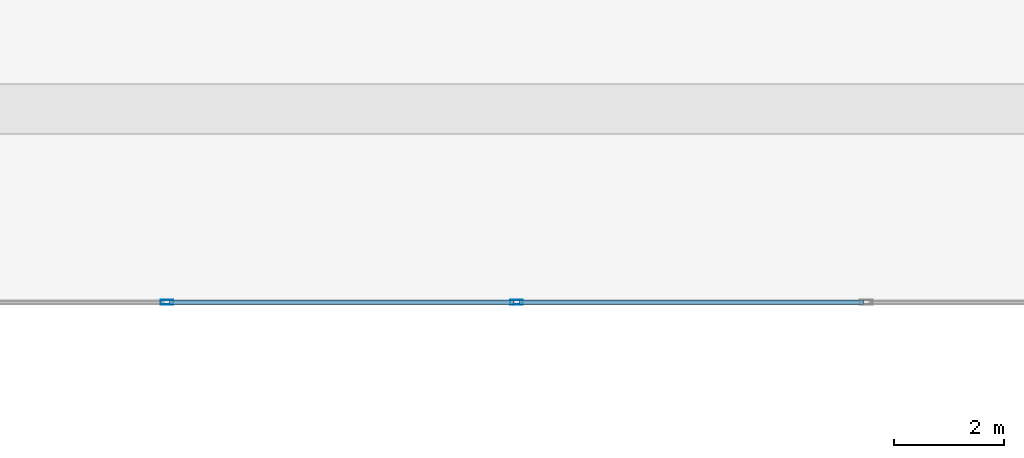
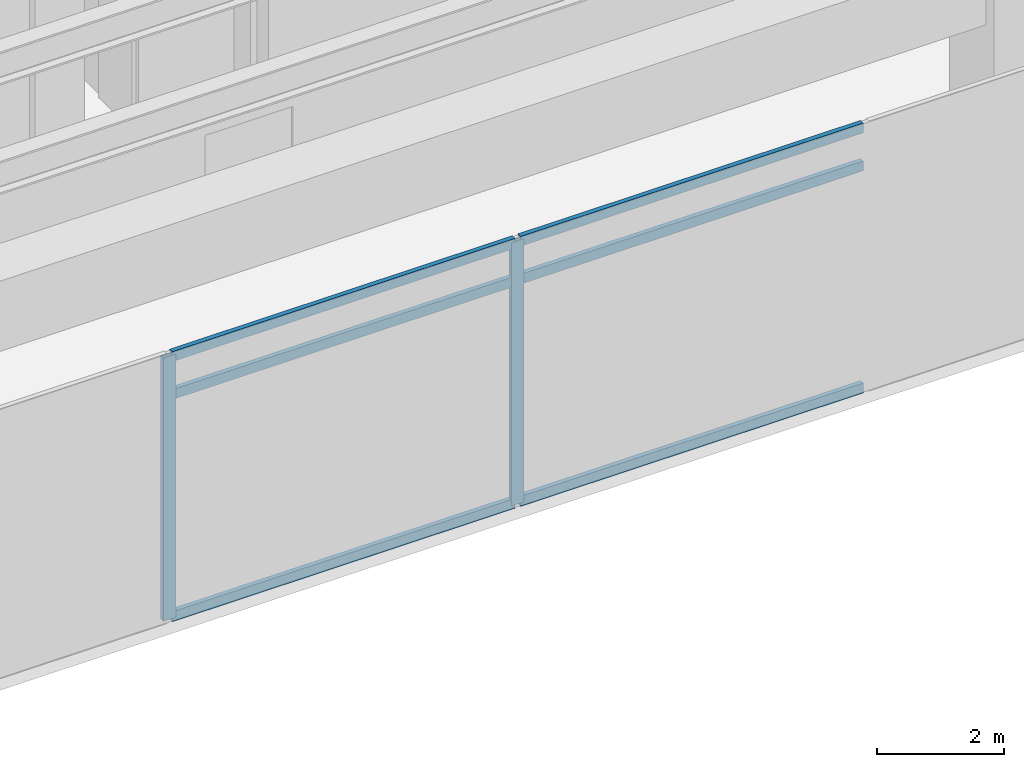
# One storey, part 4 of 21: 8 members, 1 element without a shape of its own.
"""IFC4 building model written with IfcOpenShell, lengths in metres."""

import ifcopenshell
import ifcopenshell.guid

model = None  # the IFC model being written
_history = None  # IfcOwnerHistory: only IFC2X3 demands one
_inside = {}  # id of a spatial element -> (the spatial element, [elements in it])
_under = {}  # id of a project, library or spatial element -> (it, [spatial elements below it])
_declared = {}  # id of a project -> (the project, [libraries it declares])
_typed = {}  # id of a type object -> (the type object, [elements of that type])
_made_of = {}  # id of a material, layer set ... -> (it, [elements and type objects made of it])


def new_model(schema):
    """Start an empty IFC model of exactly this schema.

    Asked for "IFC4X3", IfcOpenShell would pick the latest addendum, in which some entities
    have other attributes; the version numbers below select the first issue.
    IFC2X3 requires an IfcOwnerHistory on every rooted entity: one is made here for all.
    """
    global model, _history
    if schema == "IFC4X3":
        model = ifcopenshell.file(schema_version=(4, 3, 0, 0))
    else:
        model = ifcopenshell.file(schema=schema)
    _inside.clear()
    _under.clear()
    _declared.clear()
    _typed.clear()
    _made_of.clear()
    _history = None
    if model.schema == "IFC2X3":
        org = make("IfcOrganization", Name="unknown")
        user = make(
            "IfcPersonAndOrganization",
            ThePerson=make("IfcPerson", FamilyName="unknown"),
            TheOrganization=org,
        )
        app = make(
            "IfcApplication",
            ApplicationDeveloper=org,
            Version="unknown",
            ApplicationFullName="unknown",
            ApplicationIdentifier="unknown",
        )
        _history = make(
            "IfcOwnerHistory",
            OwningUser=user,
            OwningApplication=app,
            ChangeAction="ADDED",
            CreationDate=0,
        )
    return model


def make(cls, **values):
    """One entity of the class cls with the attributes given. An attribute that is None is left unset."""
    return model.create_entity(
        cls, **{name: value for name, value in values.items() if value is not None}
    )


def rooted(cls, **values):
    """An entity with a GlobalId (a new one), such as an element, a storey or a relation."""
    return make(cls, GlobalId=ifcopenshell.guid.new(), OwnerHistory=_history, **values)


def si_unit(unit_type, name, prefix=None):
    """IfcSIUnit, for example si_unit("LENGTHUNIT", "METRE", prefix="MILLI")."""
    return make("IfcSIUnit", UnitType=unit_type, Prefix=prefix, Name=name)


def assignment(units):
    """IfcUnitAssignment: the units of a project."""
    return None if units is None else make("IfcUnitAssignment", Units=units)


def point(xyz):
    """IfcCartesianPoint."""
    return None if xyz is None else make("IfcCartesianPoint", Coordinates=xyz)


def direction(xyz):
    """IfcDirection."""
    return None if xyz is None else make("IfcDirection", DirectionRatios=xyz)


def frame(location, z_axis=None, x_axis=None):
    """IfcAxis2Placement3D, a coordinate frame: its origin and axes. An axis left out is left unset."""
    return make(
        "IfcAxis2Placement3D",
        Location=point(location),
        Axis=direction(z_axis),
        RefDirection=direction(x_axis),
    )


def frame_2d(location, x_axis=None):
    """IfcAxis2Placement2D, a coordinate frame in the plane: its origin and x axis."""
    return make(
        "IfcAxis2Placement2D", Location=point(location), RefDirection=direction(x_axis)
    )


def origin():
    """The frame at (0, 0, 0) with its axes left unset."""
    return frame((0.0, 0.0, 0.0))


def origin_2d():
    """The frame at (0, 0) in the plane with its x axis left unset."""
    return frame_2d((0.0, 0.0))


def place(relative_to, where):
    """IfcLocalPlacement: puts the frame where relative to a parent placement (None: the world)."""
    return make(
        "IfcLocalPlacement", PlacementRelTo=relative_to, RelativePlacement=where
    )


def context(
    kind, dimensions, precision=None, world=None, true_north=None, identifier=None
):
    """IfcGeometricRepresentationContext, for example the 3D "Model" context."""
    return make(
        "IfcGeometricRepresentationContext",
        ContextIdentifier=identifier,
        ContextType=kind,
        CoordinateSpaceDimension=dimensions,
        Precision=precision,
        WorldCoordinateSystem=world,
        TrueNorth=true_north,
    )


def subcontext(parent, identifier, kind, view, scale=None):
    """IfcGeometricRepresentationSubContext, for example "Body" below "Model"."""
    return make(
        "IfcGeometricRepresentationSubContext",
        ContextIdentifier=identifier,
        ContextType=kind,
        ParentContext=parent,
        TargetScale=scale,
        TargetView=view,
    )


def project(units=None, contexts=None):
    """IfcProject with its units and contexts."""
    return rooted(
        "IfcProject",
        Name="project",
        RepresentationContexts=contexts,
        UnitsInContext=assignment(units),
    )


def spatial(cls, under=None, at=None, **own):
    """A site, building, storey or space (cls), placed at a placement, below another one or the project."""
    s = rooted(cls, ObjectPlacement=at, **own)
    if under is not None:
        _under.setdefault(under.id(), (under, []))[1].append(s)
    return s


def profile(cls, at=None, kind="AREA", **sizes):
    """A parametric profile (cls). Its sizes go by their IFC names, for example OverallWidth=200.0."""
    return make(cls, ProfileType=kind, Position=at, **sizes)


def hollow_rectangle(**sizes):
    """IfcRectangleHollowProfileDef."""
    return profile("IfcRectangleHollowProfileDef", **sizes)


def extrude(swept, where, along, depth):
    """IfcExtrudedAreaSolid: the profile swept, set in the frame where, extruded along a direction by depth."""
    return make(
        "IfcExtrudedAreaSolid",
        SweptArea=swept,
        Position=where,
        ExtrudedDirection=direction(along),
        Depth=depth,
    )


def shape(context_of_items, identifier, shape_type, items):
    """IfcShapeRepresentation: the items that make up one representation, for example the "Body"."""
    return make(
        "IfcShapeRepresentation",
        ContextOfItems=context_of_items,
        RepresentationIdentifier=identifier,
        RepresentationType=shape_type,
        Items=items,
    )


def material(Name=None, Category=None):
    """IfcMaterial."""
    return make("IfcMaterial", Name=Name, Category=Category)


def material_profile(
    of_material, cross_section, Name=None, Category=None, Priority=None
):
    """IfcMaterialProfile: a cross section and its material."""
    return make(
        "IfcMaterialProfile",
        Name=Name,
        Material=of_material,
        Profile=cross_section,
        Priority=Priority,
        Category=Category,
    )


def profile_set(profiles, Name=None, composite=None):
    """IfcMaterialProfileSet."""
    return make(
        "IfcMaterialProfileSet",
        Name=Name,
        MaterialProfiles=profiles,
        CompositeProfile=composite,
    )


def made_of(thing, what):
    """Note that an element or type object is made of a material, layer set ...; save() writes the relation."""
    if what is not None:
        _made_of.setdefault(what.id(), (what, []))[1].append(thing)
    return thing


def type_object(cls, material=None, **own):
    """A type object (cls), such as IfcWallType, which elements share."""
    return made_of(rooted(cls, **own), material)


def element(
    cls,
    number,
    at=None,
    inside=None,
    cuts=None,
    type_object=None,
    material=None,
    context=None,
    identifier="Body",
    shape_type=None,
    held_by="IfcProductDefinitionShape",
    body=None,
    shapes=None,
    **own,
):
    """One element of the class cls, such as IfcWall. Its Tag is "e" and its number.

    at: its placement. inside: the storey or other place that contains it. cuts: it is an
    opening in that element (IfcRelVoidsElement). A single representation is given by context,
    identifier, shape_type and body (its items); several are given by shapes. held_by: the class
    of the entity that holds the representations. save() writes the other relations.
    """
    e = rooted(cls, Tag="e%d" % number, ObjectPlacement=at, **own)
    if body is not None:
        shapes = [shape(context, identifier, shape_type, body)]
    if shapes is not None:
        e.Representation = make(held_by, Representations=shapes)
    if inside is not None:
        _inside.setdefault(inside.id(), (inside, []))[1].append(e)
    if cuts is not None:
        rooted(
            "IfcRelVoidsElement", RelatingBuildingElement=cuts, RelatedOpeningElement=e
        )
    if type_object is not None:
        _typed.setdefault(type_object.id(), (type_object, []))[1].append(e)
    return made_of(e, material)


def aggregate(whole, parts):
    """IfcRelAggregates: a whole, such as a stair, and the parts it consists of."""
    return rooted("IfcRelAggregates", RelatingObject=whole, RelatedObjects=parts)


def save(model, path):
    """Write the relations noted so far, then the file.

    IfcRelAggregates (storeys below a building ...), IfcRelContainedInSpatialStructure (elements
    in a storey), IfcRelDefinesByType, IfcRelAssociatesMaterial and IfcRelDeclares: one each for
    every whole, place, type object, material and project.
    """
    for whole, parts in _under.values():
        aggregate(whole, parts)
    for where, things in _inside.values():
        rooted(
            "IfcRelContainedInSpatialStructure",
            RelatedElements=things,
            RelatingStructure=where,
        )
    for kind, things in _typed.values():
        rooted("IfcRelDefinesByType", RelatedObjects=things, RelatingType=kind)
    for what, things in _made_of.values():
        rooted("IfcRelAssociatesMaterial", RelatedObjects=things, RelatingMaterial=what)
    for by, libraries in _declared.values():
        rooted("IfcRelDeclares", RelatingContext=by, RelatedDefinitions=libraries)
    model.write(path)


model = new_model("IFC4")

# Units and contexts
model_context = context("Model", 3, precision=1e-05, world=origin(), true_north=direction((0.0, 1.0)))
body_context = subcontext(model_context, "Body", "Model", "MODEL_VIEW")
ifc_project = project(units=[si_unit("LENGTHUNIT", "METRE"), si_unit("AREAUNIT", "SQUARE_METRE"), si_unit("VOLUMEUNIT", "CUBIC_METRE"), si_unit("PLANEANGLEUNIT", "RADIAN"), si_unit("MASSUNIT", "GRAM", prefix="KILO")], contexts=[model_context])

# Site, building, storey
site_placement = place(None, origin())
site = spatial("IfcSite", under=ifc_project, at=site_placement, CompositionType="ELEMENT")
building_placement = place(site_placement, origin())
building = spatial("IfcBuilding", under=site, at=building_placement, Name="Kovane Verandah Tower", CompositionType="ELEMENT")
storey_placement = place(building_placement, frame((0.0, 0.0, 189.39990234375)))
storey = spatial("IfcBuildingStorey", under=building, at=storey_placement, Name="L44", CompositionType="ELEMENT", Elevation=189.39990234375)

# Curtain wall, members
ifc_material_1 = material(Name="Champagne Anodised Aluminium Frame with Low-E Clear Laminated Glass", Category="aluminium")
curtain_wall_type = type_object("IfcCurtainWallType", Name="CW-SYS-04-WAIST", PredefinedType="NOTDEFINED", material=ifc_material_1)
curtain_wall_placement = place(storey_placement, origin())
curtain_wall = element("IfcCurtainWall", 1, at=curtain_wall_placement, inside=storey, type_object=curtain_wall_type, Name="L44 S Unitised Curtain Wall", PredefinedType="NOTDEFINED")
ifc_material_2 = material(Name="Champagne Anodised Aluminium 6063-T6", Category="aluminium")
ifc_material_profile_1 = material_profile(ifc_material_2, hollow_rectangle(XDim=0.0849609375, YDim=0.22998046875, WallThickness=0.00390625, at=origin_2d()), Name="AL85x230x4")
ifc_profile_set_1 = profile_set([ifc_material_profile_1], Name="Champagne Anodised Aluminium 6063-T6")
member_type_1 = type_object("IfcMemberType", Name="CW-MUL-85x230", PredefinedType="MULLION", material=ifc_profile_set_1)
member_1_placement = place(storey_placement, frame((33.666748046875, 7.300048828125, 0.02001953125), z_axis=(0.0, 0.0, 1.0), x_axis=(0.0, -1.0, 0.0)))
member_1 = element("IfcMember", 2, at=member_1_placement, type_object=member_type_1, Name="L44 S Unitised Curtain Wall Mullion 3", PredefinedType="MULLION", context=body_context, shape_type="SweptSolid", body=[
    extrude(hollow_rectangle(XDim=0.0849609375, YDim=0.22998046875, WallThickness=0.00390625, at=origin_2d()), origin(), (0.0, 0.0, 1.0), 5.06005859375),
])
member_2_placement = place(storey_placement, frame((40.0, 7.300048828125, 0.02001953125), z_axis=(0.0, 0.0, 1.0), x_axis=(0.0, -1.0, 0.0)))
member_2 = element("IfcMember", 3, at=member_2_placement, type_object=member_type_1, Name="L44 S Unitised Curtain Wall Mullion 4", PredefinedType="MULLION", context=body_context, shape_type="SweptSolid", body=[
    extrude(hollow_rectangle(XDim=0.0849609375, YDim=0.22998046875, WallThickness=0.00390625, at=origin_2d()), origin(), (0.0, 0.0, 1.0), 5.06005859375),
])
ifc_material_profile_2 = material_profile(ifc_material_2, hollow_rectangle(XDim=0.0849609375, YDim=0.18994140625, WallThickness=0.00390625, at=origin_2d()), Name="AL85x190x4")
ifc_profile_set_2 = profile_set([ifc_material_profile_2], Name="Champagne Anodised Aluminium 6063-T6")
member_type_2 = type_object("IfcMemberType", Name="CW-TRN-85x190", PredefinedType="USERDEFINED", material=ifc_profile_set_2)
member_3_placement = place(storey_placement, frame((33.716796875, 7.300048828125, 0.050048828125), z_axis=(1.0, 0.0, 0.0), x_axis=(0.0, 1.0, 0.0)))
member_3 = element("IfcMember", 4, at=member_3_placement, type_object=member_type_2, Name="L44 S Unitised Curtain Wall Transom TB Bay 3", ObjectType="TRANSOM", PredefinedType="USERDEFINED", context=body_context, shape_type="SweptSolid", body=[
    extrude(hollow_rectangle(XDim=0.0849609375, YDim=0.18994140625, WallThickness=0.00390625, at=origin_2d()), origin(), (0.0, 0.0, 1.0), 6.233154296875),
])
member_4_placement = place(storey_placement, frame((33.716796875, 7.300048828125, 4.320068359375), z_axis=(1.0, 0.0, 0.0), x_axis=(0.0, 1.0, 0.0)))
member_4 = element("IfcMember", 5, at=member_4_placement, type_object=member_type_2, Name="L44 S Unitised Curtain Wall Transom TM Bay 3", ObjectType="TRANSOM", PredefinedType="USERDEFINED", context=body_context, shape_type="SweptSolid", body=[
    extrude(hollow_rectangle(XDim=0.0849609375, YDim=0.18994140625, WallThickness=0.00390625, at=origin_2d()), origin(), (0.0, 0.0, 1.0), 6.233154296875),
])
member_5_placement = place(storey_placement, frame((33.716796875, 7.300048828125, 5.050048828125), z_axis=(1.0, 0.0, 0.0), x_axis=(0.0, 1.0, 0.0)))
member_5 = element("IfcMember", 6, at=member_5_placement, type_object=member_type_2, Name="L44 S Unitised Curtain Wall Transom TT Bay 3", ObjectType="TRANSOM", PredefinedType="USERDEFINED", context=body_context, shape_type="SweptSolid", body=[
    extrude(hollow_rectangle(XDim=0.0849609375, YDim=0.18994140625, WallThickness=0.00390625, at=origin_2d()), origin(), (0.0, 0.0, 1.0), 6.233154296875),
])
member_6_placement = place(storey_placement, frame((40.050048828125, 7.300048828125, 0.050048828125), z_axis=(1.0, 0.0, 0.0), x_axis=(0.0, 1.0, 0.0)))
member_6 = element("IfcMember", 7, at=member_6_placement, type_object=member_type_2, Name="L44 S Unitised Curtain Wall Transom TB Bay 4", ObjectType="TRANSOM", PredefinedType="USERDEFINED", context=body_context, shape_type="SweptSolid", body=[
    extrude(hollow_rectangle(XDim=0.0849609375, YDim=0.18994140625, WallThickness=0.00390625, at=origin_2d()), origin(), (0.0, 0.0, 1.0), 6.233154296875),
])
member_7_placement = place(storey_placement, frame((40.050048828125, 7.300048828125, 4.320068359375), z_axis=(1.0, 0.0, 0.0), x_axis=(0.0, 1.0, 0.0)))
member_7 = element("IfcMember", 8, at=member_7_placement, type_object=member_type_2, Name="L44 S Unitised Curtain Wall Transom TM Bay 4", ObjectType="TRANSOM", PredefinedType="USERDEFINED", context=body_context, shape_type="SweptSolid", body=[
    extrude(hollow_rectangle(XDim=0.0849609375, YDim=0.18994140625, WallThickness=0.00390625, at=origin_2d()), origin(), (0.0, 0.0, 1.0), 6.233154296875),
])
member_8_placement = place(storey_placement, frame((40.050048828125, 7.300048828125, 5.050048828125), z_axis=(1.0, 0.0, 0.0), x_axis=(0.0, 1.0, 0.0)))
member_8 = element("IfcMember", 9, at=member_8_placement, type_object=member_type_2, Name="L44 S Unitised Curtain Wall Transom TT Bay 4", ObjectType="TRANSOM", PredefinedType="USERDEFINED", context=body_context, shape_type="SweptSolid", body=[
    extrude(hollow_rectangle(XDim=0.0849609375, YDim=0.18994140625, WallThickness=0.00390625, at=origin_2d()), origin(), (0.0, 0.0, 1.0), 6.233154296875),
])
aggregate(curtain_wall, [member_1, member_2, member_3, member_4, member_5, member_6, member_7, member_8])

save(model, "model.ifc")
